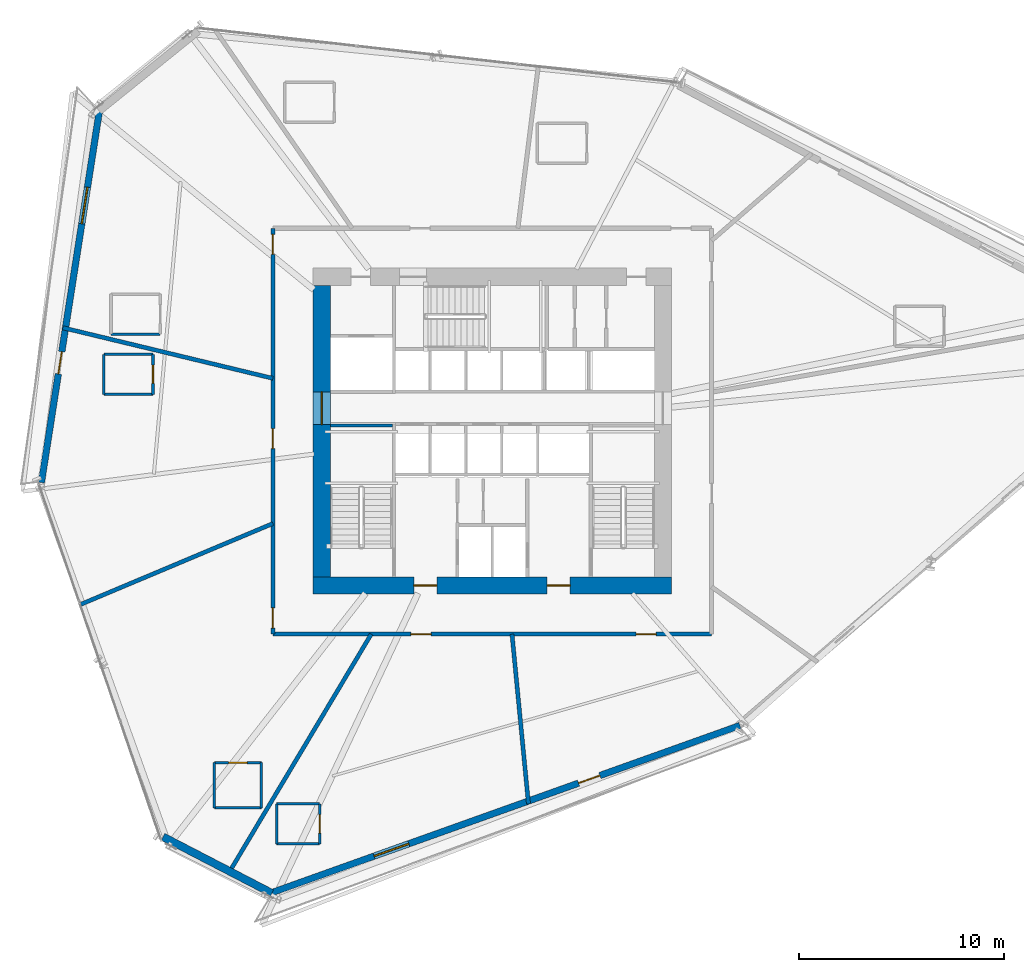
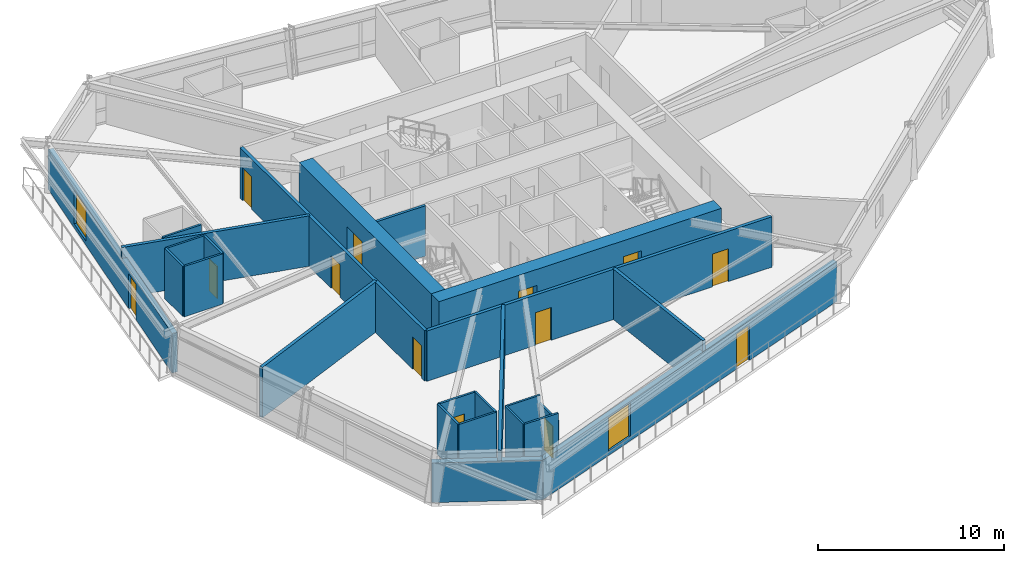
# One storey, part 15 of 22: 25 walls, 13 doors, 2 windows, 15 openings.
"""IFC4 building model written with IfcOpenShell, lengths in metres."""

from ifc_helpers import new_model, si_unit, direction, frame, frame_2d, origin, place, context, subcontext, project, spatial, rectangle, extrude, source, transform, mapped, material, layer, layer_set, type_object, type_shapes, element, fill, save


model = new_model("IFC4")

# Units and contexts
model_context = context("Model", 3, precision=1e-05, world=origin(), true_north=direction((0.0, 1.0)))
body_context = subcontext(model_context, "Body", "Model", "MODEL_VIEW")
ifc_project = project(units=[si_unit("LENGTHUNIT", "METRE"), si_unit("AREAUNIT", "SQUARE_METRE"), si_unit("VOLUMEUNIT", "CUBIC_METRE"), si_unit("PLANEANGLEUNIT", "RADIAN"), si_unit("MASSUNIT", "GRAM", prefix="KILO")], contexts=[model_context])

# Site, building, storey
site_placement = place(None, origin())
site = spatial("IfcSite", under=ifc_project, at=site_placement, CompositionType="ELEMENT")
building_placement = place(site_placement, origin())
building = spatial("IfcBuilding", under=site, at=building_placement, Name="Olszyna Solenne Hotel", CompositionType="ELEMENT")
storey_placement = place(building_placement, frame((0.0, 0.0, 61.25)))
storey = spatial("IfcBuildingStorey", under=building, at=storey_placement, Name="L15", CompositionType="ELEMENT", Elevation=61.25)

# Wall, openings, doors
ifc_material_1 = material(Name="Concrete C60/75", Category="concrete")
ifc_layer_1 = layer(ifc_material_1, 0.85009765625, Name="Concrete C60/75")
ifc_layer_set_1 = layer_set([ifc_layer_1], Name="Concrete C60/75")
wall_type_1 = type_object("IfcWallType", Name="WL-CR850", PredefinedType="SHEAR", material=ifc_layer_set_1)
wall_1_placement = place(storey_placement, frame((46.75, 19.074951171875, 0.0), z_axis=(0.0, 0.0, 1.0), x_axis=(-1.0, 0.0, 0.0)))
wall_1 = element("IfcWall", 1, at=wall_1_placement, inside=storey, type_object=wall_type_1, Name="Core shear wall WL-CR850 CRW-L15-S", PredefinedType="SHEAR", context=body_context, shape_type="SweptSolid", body=[
    extrude(rectangle(XDim=17.5, YDim=0.85009765625, at=frame_2d((8.75, 0.0))), origin(), (0.0, 0.0, 1.0), 3.300048828125),
])
opening_1_placement = place(wall_1_placement, frame((4.949951171875, 0.0, 0.0)))
opening_1 = element("IfcOpeningElement", 2, at=opening_1_placement, cuts=wall_1, Name="Opening FL-L15-1", PredefinedType="OPENING", context=body_context, shape_type="SweptSolid", body=[
    extrude(rectangle(XDim=1.1201171875, YDim=2.25, at=frame_2d((0.56005859375, 1.125))), frame((0.0, 0.43505859375, 0.0), z_axis=(0.0, -1.0, 0.0), x_axis=(1.0, 0.0, 0.0)), (0.0, 0.0, 1.0), 0.8701171875),
])
opening_2_placement = place(wall_1_placement, frame((11.449951171875, 0.0, 0.0)))
opening_2 = element("IfcOpeningElement", 3, at=opening_2_placement, cuts=wall_1, Name="Opening FL-L15-2", PredefinedType="OPENING", context=body_context, shape_type="SweptSolid", body=[
    extrude(rectangle(XDim=1.1201171875, YDim=2.25, at=frame_2d((0.56005859375, 1.125))), frame((0.0, 0.43505859375, 0.0), z_axis=(0.0, -1.0, 0.0), x_axis=(1.0, 0.0, 0.0)), (0.0, 0.0, 1.0), 0.8701171875),
])
ifc_material_2 = material(Name="Steel S355J2", Category="steel")
door_type_1 = type_object("IfcDoorType", Name="DR-FL1", OperationType="NOTDEFINED", PredefinedType="DOOR", material=ifc_material_2)
shared_shape_1 = source(origin(), body_context, "Body", "SweptSolid", [
    extrude(rectangle(XDim=1.1201171875, YDim=2.25, at=frame_2d((0.56005859375, 1.125))), frame((0.0, 0.02490234375, 0.0), z_axis=(0.0, -1.0, 0.0), x_axis=(1.0, 0.0, 0.0)), (0.0, 0.0, 1.0), 0.050048828125),
])
type_shapes(door_type_1, [shared_shape_1])
door_1_placement = place(opening_1_placement, origin())
door_1 = element("IfcDoor", 4, at=door_1_placement, inside=storey, type_object=door_type_1, Name="Firefighting lift lobby smoke door FL-L15-1", OperationType="SINGLE_SWING_LEFT", OverallHeight=2.25, OverallWidth=1.1201171875, PredefinedType="DOOR", context=body_context, shape_type="MappedRepresentation", body=[
    mapped(shared_shape_1, transform((0.0, 0.0, 0.0), x_axis=(1.0, 0.0, 0.0), y_axis=(0.0, 1.0, 0.0), z_axis=(0.0, 0.0, 1.0), scale=1.0)),
])
fill(opening_1, door_1)
door_2_placement = place(opening_2_placement, origin())
door_2 = element("IfcDoor", 5, at=door_2_placement, inside=storey, type_object=door_type_1, Name="Firefighting lift lobby smoke door FL-L15-2", OperationType="SINGLE_SWING_RIGHT", OverallHeight=2.25, OverallWidth=1.1201171875, PredefinedType="DOOR", context=body_context, shape_type="MappedRepresentation", body=[
    mapped(shared_shape_1, transform((0.0, 0.0, 0.0), x_axis=(1.0, 0.0, 0.0), y_axis=(0.0, 1.0, 0.0), z_axis=(0.0, 0.0, 1.0), scale=1.0)),
])
fill(opening_2, door_2)

# Wall, opening, door
wall_2_placement = place(storey_placement, frame((29.675048828125, 19.5, 0.0), z_axis=(0.0, 0.0, 1.0), x_axis=(0.0, 1.0, 0.0)))
wall_2 = element("IfcWall", 6, at=wall_2_placement, inside=storey, type_object=wall_type_1, Name="Core shear wall WL-CR850 CRW-L15-W", PredefinedType="SHEAR", context=body_context, shape_type="SweptSolid", body=[
    extrude(rectangle(XDim=14.199951171875, YDim=0.85009765625, at=frame_2d((7.10009765625, 0.0))), origin(), (0.0, 0.0, 1.0), 3.300048828125),
])
opening_3_placement = place(wall_2_placement, frame((7.419921875, 0.0, 0.0)))
opening_3 = element("IfcOpeningElement", 7, at=opening_3_placement, cuts=wall_2, Name="Opening LHD-L15-W", PredefinedType="OPENING", context=body_context, shape_type="SweptSolid", body=[
    extrude(rectangle(XDim=1.60009765625, YDim=2.199951171875, at=frame_2d((0.800048828125, 1.10009765625))), frame((0.0, 0.43505859375, 0.0), z_axis=(0.0, -1.0, 0.0), x_axis=(1.0, 0.0, 0.0)), (0.0, 0.0, 1.0), 0.8701171875),
])
ifc_material_3 = material(Name="Timber hardwood", Category="wood")
door_type_2 = type_object("IfcDoorType", Name="DR-CR1", OperationType="DOUBLE_DOOR_SINGLE_SWING", PredefinedType="DOOR", material=ifc_material_3)
shared_shape_2 = source(origin(), body_context, "Body", "SweptSolid", [
    extrude(rectangle(XDim=1.60009765625, YDim=2.199951171875, at=frame_2d((0.800048828125, 1.10009765625))), frame((0.0, 0.02490234375, 0.0), z_axis=(0.0, -1.0, 0.0), x_axis=(1.0, 0.0, 0.0)), (0.0, 0.0, 1.0), 0.050048828125),
])
type_shapes(door_type_2, [shared_shape_2])
door_3_placement = place(opening_3_placement, origin())
door_3 = element("IfcDoor", 8, at=door_3_placement, inside=storey, type_object=door_type_2, Name="Passenger lift lobby West fire door LHD-L15-W", OperationType="DOUBLE_DOOR_SINGLE_SWING", OverallHeight=2.199951171875, OverallWidth=1.60009765625, PredefinedType="DOOR", context=body_context, shape_type="MappedRepresentation", body=[
    mapped(shared_shape_2, transform((0.0, 0.0, 0.0), x_axis=(1.0, 0.0, 0.0), y_axis=(0.0, 1.0, 0.0), z_axis=(0.0, 0.0, 1.0), scale=1.0)),
])
fill(opening_3, door_3)

# Wall, openings, door, window
ifc_material_4 = material(Name="Precast concrete C45/55", Category="concrete")
ifc_layer_2 = layer(ifc_material_4, 0.320068359375, Name="Precast concrete C45/55")
ifc_layer_set_2 = layer_set([ifc_layer_2], Name="Precast concrete C45/55")
wall_type_2 = type_object("IfcWallType", Name="WL-EX320", PredefinedType="SOLIDWALL", material=ifc_layer_set_2)
wall_3_placement = place(storey_placement, frame((50.075927734375, 12.242919921875, 0.0), z_axis=(0.0, 0.0, 1.0), x_axis=(-0.941799205237, -0.33617593164, 0.0)))
wall_3 = element("IfcWall", 9, at=wall_3_placement, inside=storey, type_object=wall_type_2, Name="Exterior terracotta-precast frame wall WL-EX320 EW-L15-01", PredefinedType="SOLIDWALL", context=body_context, shape_type="SweptSolid", body=[
    extrude(rectangle(XDim=24.38525390625, YDim=0.320068359375, at=frame_2d((12.192626953125, 0.0))), origin(), (0.0, 0.0, 1.0), 2.592041015625),
])
opening_4_placement = place(wall_3_placement, frame((7.2529296875, 0.0, 0.0)))
opening_4 = element("IfcOpeningElement", 10, at=opening_4_placement, cuts=wall_3, Name="Opening LDG-L15-3", PredefinedType="OPENING", context=body_context, shape_type="SweptSolid", body=[
    extrude(rectangle(XDim=1.10009765625, YDim=2.300048828125, at=frame_2d((0.550048828125, 1.14990234375))), frame((0.0, 0.169921875, 0.0), z_axis=(0.0, -1.0, 0.0), x_axis=(1.0, 0.0, 0.0)), (0.0, 0.0, 1.0), 0.340087890625),
])
opening_5_placement = place(wall_3_placement, frame((17.14501953125, 0.0, 0.27197265625)))
opening_5 = element("IfcOpeningElement", 11, at=opening_5_placement, cuts=wall_3, Name="Opening WN-L15-068", PredefinedType="OPENING", context=body_context, shape_type="SweptSolid", body=[
    extrude(rectangle(XDim=1.800048828125, YDim=2.199951171875, at=frame_2d((0.89990234375, 1.10009765625))), frame((0.0, 0.169921875, 0.0), z_axis=(0.0, -1.0, 0.0), x_axis=(1.0, 0.0, 0.0)), (0.0, 0.0, 1.0), 0.340087890625),
])
ifc_material_5 = material(Name="Anodised bronze aluminium", Category="aluminium")
door_type_3 = type_object("IfcDoorType", Name="DR-LG1", OperationType="NOTDEFINED", PredefinedType="DOOR", material=ifc_material_5)
shared_shape_3 = source(origin(), body_context, "Body", "SweptSolid", [
    extrude(rectangle(XDim=1.10009765625, YDim=2.300048828125, at=frame_2d((0.550048828125, 1.14990234375))), frame((0.0, 0.02490234375, 0.0), z_axis=(0.0, -1.0, 0.0), x_axis=(1.0, 0.0, 0.0)), (0.0, 0.0, 1.0), 0.050048828125),
])
type_shapes(door_type_3, [shared_shape_3])
door_4_placement = place(opening_4_placement, origin())
door_4 = element("IfcDoor", 12, at=door_4_placement, inside=storey, type_object=door_type_3, Name="Exterior loggia balcony door DR-LG1 LDG-L15-3", OperationType="SINGLE_SWING_LEFT", OverallHeight=2.300048828125, OverallWidth=1.10009765625, PredefinedType="DOOR", context=body_context, shape_type="MappedRepresentation", body=[
    mapped(shared_shape_3, transform((0.0, 0.0, 0.0), x_axis=(1.0, 0.0, 0.0), y_axis=(0.0, 1.0, 0.0), z_axis=(0.0, 0.0, 1.0), scale=1.0)),
])
fill(opening_4, door_4)
ifc_material_6 = material(Name="Low-E triple glazing", Category="glass")
window_type = type_object("IfcWindowType", Name="WN-HT1", PartitioningType="SINGLE_PANEL", PredefinedType="WINDOW", material=ifc_material_6)
shared_shape_4 = source(origin(), body_context, "Body", "SweptSolid", [
    extrude(rectangle(XDim=1.800048828125, YDim=2.199951171875, at=frame_2d((0.89990234375, 1.10009765625))), frame((0.0, 0.030029296875, 0.0), z_axis=(0.0, -1.0, 0.0), x_axis=(1.0, 0.0, 0.0)), (0.0, 0.0, 1.0), 0.06005859375),
])
type_shapes(window_type, [shared_shape_4])
window_1_placement = place(opening_5_placement, origin())
window_1 = element("IfcWindow", 13, at=window_1_placement, inside=storey, type_object=window_type, Name="Loggia room window WN-HT1 WN-L15-068", OverallHeight=2.199951171875, OverallWidth=1.800048828125, PartitioningType="SINGLE_PANEL", PredefinedType="WINDOW", context=body_context, shape_type="MappedRepresentation", body=[
    mapped(shared_shape_4, transform((0.0, 0.0, 0.0), x_axis=(1.0, 0.0, 0.0), y_axis=(0.0, 1.0, 0.0), z_axis=(0.0, 0.0, 1.0), scale=1.0)),
])
fill(opening_5, window_1)

wall_4_placement = place(storey_placement, frame((16.005615234375, 24.09521484375, 0.0), z_axis=(0.0, 0.0, 1.0), x_axis=(0.154230167558, 0.988034946454, 0.0)))
wall_4 = element("IfcWall", 14, at=wall_4_placement, inside=storey, type_object=wall_type_2, Name="Exterior terracotta-precast frame wall WL-EX320 EW-L15-04", PredefinedType="SOLIDWALL", context=body_context, shape_type="SweptSolid", body=[
    extrude(rectangle(XDim=18.47802734375, YDim=0.320068359375, at=frame_2d((9.239013671875, 0.0))), origin(), (0.0, 0.0, 1.0), 2.592041015625),
])
opening_6_placement = place(wall_4_placement, frame((5.363037109375, 0.0, 0.0)))
opening_6 = element("IfcOpeningElement", 15, at=opening_6_placement, cuts=wall_4, Name="Opening LDG-L15-2", PredefinedType="OPENING", context=body_context, shape_type="SweptSolid", body=[
    extrude(rectangle(XDim=1.10009765625, YDim=2.300048828125, at=frame_2d((0.550048828125, 1.14990234375))), frame((0.0, 0.169921875, 0.0), z_axis=(0.0, -1.0, 0.0), x_axis=(1.0, 0.0, 0.0)), (0.0, 0.0, 1.0), 0.340087890625),
])
opening_7_placement = place(wall_4_placement, frame((12.77392578125, 0.0, 0.27197265625)))
opening_7 = element("IfcOpeningElement", 16, at=opening_7_placement, cuts=wall_4, Name="Opening WN-L15-069", PredefinedType="OPENING", context=body_context, shape_type="SweptSolid", body=[
    extrude(rectangle(XDim=1.800048828125, YDim=2.199951171875, at=frame_2d((0.89990234375, 1.10009765625))), frame((0.0, 0.169921875, 0.0), z_axis=(0.0, -1.0, 0.0), x_axis=(1.0, 0.0, 0.0)), (0.0, 0.0, 1.0), 0.340087890625),
])
door_5_placement = place(opening_6_placement, origin())
door_5 = element("IfcDoor", 17, at=door_5_placement, inside=storey, type_object=door_type_3, Name="Exterior loggia balcony door DR-LG1 LDG-L15-2", OperationType="SINGLE_SWING_RIGHT", OverallHeight=2.300048828125, OverallWidth=1.10009765625, PredefinedType="DOOR", context=body_context, shape_type="MappedRepresentation", body=[
    mapped(shared_shape_3, transform((0.0, 0.0, 0.0), x_axis=(1.0, 0.0, 0.0), y_axis=(0.0, 1.0, 0.0), z_axis=(0.0, 0.0, 1.0), scale=1.0)),
])
fill(opening_6, door_5)
window_2_placement = place(opening_7_placement, origin())
window_2 = element("IfcWindow", 18, at=window_2_placement, inside=storey, type_object=window_type, Name="Loggia room window WN-HT1 WN-L15-069", OverallHeight=2.199951171875, OverallWidth=1.800048828125, PartitioningType="SINGLE_PANEL", PredefinedType="WINDOW", context=body_context, shape_type="MappedRepresentation", body=[
    mapped(shared_shape_4, transform((0.0, 0.0, 0.0), x_axis=(1.0, 0.0, 0.0), y_axis=(0.0, 1.0, 0.0), z_axis=(0.0, 0.0, 1.0), scale=1.0)),
])
fill(opening_7, window_2)

# Walls
ifc_material_7 = material(Name="Terracotta cladding on precast concrete C45/55", Category="masonry")
ifc_layer_3 = layer(ifc_material_7, 0.3798828125, Name="Terracotta cladding on precast concrete C45/55")
ifc_layer_set_3 = layer_set([ifc_layer_3], Name="Terracotta cladding on precast concrete C45/55")
wall_type_3 = type_object("IfcWallType", Name="WL-EX380", PredefinedType="SOLIDWALL", material=ifc_layer_set_3)
wall_5_placement = place(storey_placement, frame((27.251220703125, 4.06298828125, 0.0), z_axis=(0.0, 0.0, 1.0), x_axis=(-0.887815090673, 0.46020035286, 0.0)))
element("IfcWall", 19, at=wall_5_placement, inside=storey, type_object=wall_type_3, Name="Exterior terracotta-precast frame wall WL-EX380 EW-L15-02", PredefinedType="SOLIDWALL", context=body_context, shape_type="SweptSolid", body=[
    extrude(rectangle(XDim=5.978759765625, YDim=0.3798828125, at=frame_2d((2.9892578125, 0.0))), origin(), (0.0, 0.0, 1.0), 2.592041015625),
])
ifc_material_8 = material(Name="Acoustic gypsum partition", Category="gypsum")
ifc_layer_4 = layer(ifc_material_8, 0.125, Name="Acoustic gypsum partition")
ifc_layer_set_4 = layer_set([ifc_layer_4], Name="Acoustic gypsum partition")
wall_type_4 = type_object("IfcWallType", Name="WL-PT125", PredefinedType="PARTITIONING", material=ifc_layer_set_4)
wall_6_placement = place(storey_placement, frame((19.402099609375, 31.33203125, 0.0), z_axis=(0.0, 0.0, 1.0), x_axis=(1.0, 0.0, 0.0)))
element("IfcWall", 20, at=wall_6_placement, inside=storey, type_object=wall_type_4, Name="Interior acoustic partition WL-PT125 PW-L15-0856", PredefinedType="PARTITIONING", context=body_context, shape_type="SweptSolid", body=[
    extrude(rectangle(XDim=2.39990234375, YDim=0.125, at=frame_2d((1.199951171875, 0.0))), origin(), (0.0, 0.0, 1.0), 3.300048828125),
])

# Wall, opening, door
wall_7_placement = place(storey_placement, frame((21.449951171875, 28.403076171875, 0.0), z_axis=(0.0, 0.0, 1.0), x_axis=(0.0, 1.0, 0.0)))
wall_7 = element("IfcWall", 21, at=wall_7_placement, inside=storey, type_object=wall_type_4, Name="Interior acoustic partition WL-PT125 PW-L15-0857", PredefinedType="PARTITIONING", context=body_context, shape_type="SweptSolid", body=[
    extrude(rectangle(XDim=1.949951171875, YDim=0.125, at=frame_2d((0.97509765625, 0.0))), origin(), (0.0, 0.0, 1.0), 3.300048828125),
])
opening_8_placement = place(wall_7_placement, frame((0.52490234375, 0.0, 0.0)))
opening_8 = element("IfcOpeningElement", 22, at=opening_8_placement, cuts=wall_7, Name="Opening DR-L15-0189", PredefinedType="OPENING", context=body_context, shape_type="SweptSolid", body=[
    extrude(rectangle(XDim=0.89990234375, YDim=2.10009765625, at=frame_2d((0.449951171875, 1.050048828125))), frame((0.0, 0.072509765625, 0.0), z_axis=(0.0, -1.0, 0.0), x_axis=(1.0, 0.0, 0.0)), (0.0, 0.0, 1.0), 0.14501953125),
])
door_type_4 = type_object("IfcDoorType", Name="DR-WC1", OperationType="NOTDEFINED", PredefinedType="DOOR", material=ifc_material_3)
shared_shape_5 = source(origin(), body_context, "Body", "SweptSolid", [
    extrude(rectangle(XDim=0.89990234375, YDim=2.10009765625, at=frame_2d((0.449951171875, 1.050048828125))), frame((0.0, 0.02490234375, 0.0), z_axis=(0.0, -1.0, 0.0), x_axis=(1.0, 0.0, 0.0)), (0.0, 0.0, 1.0), 0.050048828125),
])
type_shapes(door_type_4, [shared_shape_5])
door_6_placement = place(opening_8_placement, origin())
door_6 = element("IfcDoor", 23, at=door_6_placement, inside=storey, type_object=door_type_4, Name="En-Suite Bathroom Door DR-L15-0189", OperationType="SINGLE_SWING_RIGHT", OverallHeight=2.10009765625, OverallWidth=0.89990234375, PredefinedType="DOOR", context=body_context, shape_type="MappedRepresentation", body=[
    mapped(shared_shape_5, transform((0.0, 0.0, 0.0), x_axis=(1.0, 0.0, 0.0), y_axis=(0.0, 1.0, 0.0), z_axis=(0.0, 0.0, 1.0), scale=1.0)),
])
fill(opening_8, door_6)

# Walls
wall_8_placement = place(storey_placement, frame((21.449951171875, 30.35302734375, 0.0), z_axis=(0.0, 0.0, 1.0), x_axis=(-1.0, 0.0, 0.0)))
element("IfcWall", 24, at=wall_8_placement, inside=storey, type_object=wall_type_4, Name="Interior acoustic partition WL-PT125 PW-L15-0858", PredefinedType="PARTITIONING", context=body_context, shape_type="SweptSolid", body=[
    extrude(rectangle(XDim=2.39990234375, YDim=0.125, at=frame_2d((1.199951171875, 0.0))), origin(), (0.0, 0.0, 1.0), 3.300048828125),
])
wall_9_placement = place(storey_placement, frame((19.050048828125, 30.35302734375, 0.0), z_axis=(0.0, 0.0, 1.0), x_axis=(0.0, -1.0, 0.0)))
element("IfcWall", 25, at=wall_9_placement, inside=storey, type_object=wall_type_4, Name="Interior acoustic partition WL-PT125 PW-L15-0859", PredefinedType="PARTITIONING", context=body_context, shape_type="SweptSolid", body=[
    extrude(rectangle(XDim=1.949951171875, YDim=0.125, at=frame_2d((0.97509765625, 0.0))), origin(), (0.0, 0.0, 1.0), 3.300048828125),
])
wall_10_placement = place(storey_placement, frame((19.050048828125, 28.403076171875, 0.0), z_axis=(0.0, 0.0, 1.0), x_axis=(1.0, 0.0, 0.0)))
element("IfcWall", 26, at=wall_10_placement, inside=storey, type_object=wall_type_4, Name="Interior acoustic partition WL-PT125 PW-L15-0860", PredefinedType="PARTITIONING", context=body_context, shape_type="SweptSolid", body=[
    extrude(rectangle(XDim=2.39990234375, YDim=0.125, at=frame_2d((1.199951171875, 0.0))), origin(), (0.0, 0.0, 1.0), 3.300048828125),
])
wall_11_placement = place(storey_placement, frame((26.739990234375, 8.22998046875, 0.0), z_axis=(0.0, 0.0, 1.0), x_axis=(0.0, 1.0, 0.0)))
element("IfcWall", 27, at=wall_11_placement, inside=storey, type_object=wall_type_4, Name="Interior acoustic partition WL-PT125 PW-L15-0861", PredefinedType="PARTITIONING", context=body_context, shape_type="SweptSolid", body=[
    extrude(rectangle(XDim=2.199951171875, YDim=0.125, at=frame_2d((1.10009765625, 0.0))), origin(), (0.0, 0.0, 1.0), 3.300048828125),
])

# Wall, opening, door
wall_12_placement = place(storey_placement, frame((26.739990234375, 10.429931640625, 0.0), z_axis=(0.0, 0.0, 1.0), x_axis=(-1.0, 0.0, 0.0)))
wall_12 = element("IfcWall", 28, at=wall_12_placement, inside=storey, type_object=wall_type_4, Name="Interior acoustic partition WL-PT125 PW-L15-0862", PredefinedType="PARTITIONING", context=body_context, shape_type="SweptSolid", body=[
    extrude(rectangle(XDim=2.300048828125, YDim=0.125, at=frame_2d((1.14990234375, 0.0))), origin(), (0.0, 0.0, 1.0), 3.300048828125),
])
opening_9_placement = place(wall_12_placement, frame((0.699951171875, 0.0, 0.0)))
opening_9 = element("IfcOpeningElement", 29, at=opening_9_placement, cuts=wall_12, Name="Opening DR-L15-0190", PredefinedType="OPENING", context=body_context, shape_type="SweptSolid", body=[
    extrude(rectangle(XDim=0.89990234375, YDim=2.10009765625, at=frame_2d((0.449951171875, 1.050048828125))), frame((0.0, 0.072509765625, 0.0), z_axis=(0.0, -1.0, 0.0), x_axis=(1.0, 0.0, 0.0)), (0.0, 0.0, 1.0), 0.14501953125),
])
door_7_placement = place(opening_9_placement, origin())
door_7 = element("IfcDoor", 30, at=door_7_placement, inside=storey, type_object=door_type_4, Name="En-Suite Bathroom Door DR-L15-0190", OperationType="SINGLE_SWING_LEFT", OverallHeight=2.10009765625, OverallWidth=0.89990234375, PredefinedType="DOOR", context=body_context, shape_type="MappedRepresentation", body=[
    mapped(shared_shape_5, transform((0.0, 0.0, 0.0), x_axis=(1.0, 0.0, 0.0), y_axis=(0.0, 1.0, 0.0), z_axis=(0.0, 0.0, 1.0), scale=1.0)),
])
fill(opening_9, door_7)

# Walls
wall_13_placement = place(storey_placement, frame((24.43994140625, 10.429931640625, 0.0), z_axis=(0.0, 0.0, 1.0), x_axis=(0.0, -1.0, 0.0)))
element("IfcWall", 31, at=wall_13_placement, inside=storey, type_object=wall_type_4, Name="Interior acoustic partition WL-PT125 PW-L15-0863", PredefinedType="PARTITIONING", context=body_context, shape_type="SweptSolid", body=[
    extrude(rectangle(XDim=2.199951171875, YDim=0.125, at=frame_2d((1.10009765625, 0.0))), origin(), (0.0, 0.0, 1.0), 3.300048828125),
])
wall_14_placement = place(storey_placement, frame((24.43994140625, 8.22998046875, 0.0), z_axis=(0.0, 0.0, 1.0), x_axis=(1.0, 0.0, 0.0)))
element("IfcWall", 32, at=wall_14_placement, inside=storey, type_object=wall_type_4, Name="Interior acoustic partition WL-PT125 PW-L15-0864", PredefinedType="PARTITIONING", context=body_context, shape_type="SweptSolid", body=[
    extrude(rectangle(XDim=2.300048828125, YDim=0.125, at=frame_2d((1.14990234375, 0.0))), origin(), (0.0, 0.0, 1.0), 3.300048828125),
])

# Wall, opening, door
wall_15_placement = place(storey_placement, frame((29.575927734375, 6.47509765625, 0.0), z_axis=(0.0, 0.0, 1.0), x_axis=(0.0, 1.0, 0.0)))
wall_15 = element("IfcWall", 33, at=wall_15_placement, inside=storey, type_object=wall_type_4, Name="Interior acoustic partition WL-PT125 PW-L15-0865", PredefinedType="PARTITIONING", context=body_context, shape_type="SweptSolid", body=[
    extrude(rectangle(XDim=1.949951171875, YDim=0.125, at=frame_2d((0.97509765625, 0.0))), origin(), (0.0, 0.0, 1.0), 2.794921875),
])
opening_10_placement = place(wall_15_placement, frame((0.52490234375, 0.0, 0.0)))
opening_10 = element("IfcOpeningElement", 34, at=opening_10_placement, cuts=wall_15, Name="Opening DR-L15-0191", PredefinedType="OPENING", context=body_context, shape_type="SweptSolid", body=[
    extrude(rectangle(XDim=0.89990234375, YDim=2.10009765625, at=frame_2d((0.449951171875, 1.050048828125))), frame((0.0, 0.072509765625, 0.0), z_axis=(0.0, -1.0, 0.0), x_axis=(1.0, 0.0, 0.0)), (0.0, 0.0, 1.0), 0.14501953125),
])
door_8_placement = place(opening_10_placement, origin())
door_8 = element("IfcDoor", 35, at=door_8_placement, inside=storey, type_object=door_type_4, Name="En-Suite Bathroom Door DR-L15-0191", OperationType="SINGLE_SWING_RIGHT", OverallHeight=2.10009765625, OverallWidth=0.89990234375, PredefinedType="DOOR", context=body_context, shape_type="MappedRepresentation", body=[
    mapped(shared_shape_5, transform((0.0, 0.0, 0.0), x_axis=(1.0, 0.0, 0.0), y_axis=(0.0, 1.0, 0.0), z_axis=(0.0, 0.0, 1.0), scale=1.0)),
])
fill(opening_10, door_8)

# Walls
wall_16_placement = place(storey_placement, frame((29.575927734375, 8.425048828125, 0.0), z_axis=(0.0, 0.0, 1.0), x_axis=(-1.0, 0.0, 0.0)))
element("IfcWall", 36, at=wall_16_placement, inside=storey, type_object=wall_type_4, Name="Interior acoustic partition WL-PT125 PW-L15-0866", PredefinedType="PARTITIONING", context=body_context, shape_type="SweptSolid", body=[
    extrude(rectangle(XDim=2.099853515625, YDim=0.125, at=frame_2d((1.0498046875, 0.0))), origin(), (0.0, 0.0, 1.0), 3.300048828125),
])
wall_17_placement = place(storey_placement, frame((27.47607421875, 8.425048828125, 0.0), z_axis=(0.0, 0.0, 1.0), x_axis=(0.0, -1.0, 0.0)))
element("IfcWall", 37, at=wall_17_placement, inside=storey, type_object=wall_type_4, Name="Interior acoustic partition WL-PT125 PW-L15-0867", PredefinedType="PARTITIONING", context=body_context, shape_type="SweptSolid", body=[
    extrude(rectangle(XDim=1.949951171875, YDim=0.125, at=frame_2d((0.97509765625, 0.0))), origin(), (0.0, 0.0, 1.0), 3.300048828125),
])
wall_18_placement = place(storey_placement, frame((27.47607421875, 6.47509765625, 0.0), z_axis=(0.0, 0.0, 1.0), x_axis=(1.0, 0.0, 0.0)))
element("IfcWall", 38, at=wall_18_placement, inside=storey, type_object=wall_type_4, Name="Interior acoustic partition WL-PT125 PW-L15-0868", PredefinedType="PARTITIONING", context=body_context, shape_type="SweptSolid", body=[
    extrude(rectangle(XDim=2.099853515625, YDim=0.125, at=frame_2d((1.0498046875, 0.0))), origin(), (0.0, 0.0, 1.0), 3.300048828125),
])
ifc_layer_5 = layer(ifc_material_8, 0.159912109375, Name="Acoustic gypsum partition")
ifc_layer_set_5 = layer_set([ifc_layer_5], Name="Acoustic gypsum partition")
wall_type_5 = type_object("IfcWallType", Name="WL-PT160", PredefinedType="PARTITIONING", material=ifc_layer_set_5)
wall_19_placement = place(storey_placement, frame((30.10009765625, 26.8798828125, 0.0), z_axis=(0.0, 0.0, 1.0), x_axis=(1.0, 0.0, 0.0)))
element("IfcWall", 39, at=wall_19_placement, inside=storey, type_object=wall_type_5, Name="Core shaft compartment wall CW-L15-ST1N", PredefinedType="PARTITIONING", context=body_context, shape_type="SweptSolid", body=[
    extrude(rectangle(XDim=3.02001953125, YDim=0.159912109375, at=frame_2d((1.510009765625, 0.0))), origin(), (0.0, 0.0, 1.0), 3.300048828125),
])
ifc_layer_6 = layer(ifc_material_8, 0.199951171875, Name="Acoustic gypsum partition")
ifc_layer_set_6 = layer_set([ifc_layer_6], Name="Acoustic gypsum partition")
wall_type_6 = type_object("IfcWallType", Name="WL-PT200", PredefinedType="PARTITIONING", material=ifc_layer_set_6)
wall_20_placement = place(storey_placement, frame((27.300048828125, 29.177734375, 0.0), z_axis=(0.0, 0.0, 1.0), x_axis=(-0.972184679764, 0.234215602453, 0.0)))
element("IfcWall", 40, at=wall_20_placement, inside=storey, type_object=wall_type_6, Name="Interior acoustic partition WL-PT200 PW-L15-0839", PredefinedType="PARTITIONING", context=body_context, shape_type="SweptSolid", body=[
    extrude(rectangle(XDim=10.54052734375, YDim=0.199951171875, at=frame_2d((5.270263671875, 0.0))), origin(), (0.0, 0.0, 1.0), 3.300048828125),
])
wall_21_placement = place(storey_placement, frame((27.300048828125, 22.09814453125, 0.0), z_axis=(0.0, 0.0, 1.0), x_axis=(-0.921738414134, -0.387812191543, 0.0)))
element("IfcWall", 41, at=wall_21_placement, inside=storey, type_object=wall_type_6, Name="Interior acoustic partition WL-PT200 PW-L15-0840", PredefinedType="PARTITIONING", context=body_context, shape_type="SweptSolid", body=[
    extrude(rectangle(XDim=10.165771484375, YDim=0.199951171875, at=frame_2d((5.0830078125, 0.0))), origin(), (0.0, 0.0, 1.0), 3.300048828125),
])
wall_22_placement = place(storey_placement, frame((32.09423828125, 16.699951171875, 0.0), z_axis=(0.0, 0.0, 1.0), x_axis=(-0.512323953294, -0.858792272253, 0.0)))
element("IfcWall", 42, at=wall_22_placement, inside=storey, type_object=wall_type_6, Name="Interior acoustic partition WL-PT200 PW-L15-0841", PredefinedType="PARTITIONING", context=body_context, shape_type="SweptSolid", body=[
    extrude(rectangle(XDim=13.63232421875, YDim=0.199951171875, at=frame_2d((6.816162109375, 0.0))), origin(), (0.0, 0.0, 1.0), 3.300048828125),
])
wall_23_placement = place(storey_placement, frame((38.961181640625, 16.699951171875, 0.0), z_axis=(0.0, 0.0, 1.0), x_axis=(0.096633864642, -0.995319996888, 0.0)))
element("IfcWall", 43, at=wall_23_placement, inside=storey, type_object=wall_type_6, Name="Interior acoustic partition WL-PT200 PW-L15-0842", PredefinedType="PARTITIONING", context=body_context, shape_type="SweptSolid", body=[
    extrude(rectangle(XDim=8.314453125, YDim=0.199951171875, at=frame_2d((4.1572265625, 0.0))), origin(), (0.0, 0.0, 1.0), 3.300048828125),
])

# Wall, openings, doors
wall_24_placement = place(storey_placement, frame((27.300048828125, 16.699951171875, 0.0), z_axis=(0.0, 0.0, 1.0), x_axis=(1.0, 0.0, 0.0)))
wall_24 = element("IfcWall", 44, at=wall_24_placement, inside=storey, type_object=wall_type_6, Name="Interior acoustic partition WL-PT200 PW-L15-0873", PredefinedType="PARTITIONING", context=body_context, shape_type="SweptSolid", body=[
    extrude(rectangle(XDim=21.39990234375, YDim=0.199951171875, at=frame_2d((10.699951171875, 0.0))), origin(), (0.0, 0.0, 1.0), 3.300048828125),
])
opening_11_placement = place(wall_24_placement, frame((6.73193359375, 0.0, 0.0)))
opening_11 = element("IfcOpeningElement", 45, at=opening_11_placement, cuts=wall_24, Name="Opening DR-L15-0193", PredefinedType="OPENING", context=body_context, shape_type="SweptSolid", body=[
    extrude(rectangle(XDim=0.97998046875, YDim=2.14990234375, at=frame_2d((0.489990234375, 1.074951171875))), frame((0.0, 0.10986328125, 0.0), z_axis=(0.0, -1.0, 0.0), x_axis=(1.0, 0.0, 0.0)), (0.0, 0.0, 1.0), 0.219970703125),
])
opening_12_placement = place(wall_24_placement, frame((17.714111328125, 0.0, 0.0)))
opening_12 = element("IfcOpeningElement", 46, at=opening_12_placement, cuts=wall_24, Name="Opening DR-L15-0194", PredefinedType="OPENING", context=body_context, shape_type="SweptSolid", body=[
    extrude(rectangle(XDim=0.97998046875, YDim=2.14990234375, at=frame_2d((0.489990234375, 1.074951171875))), frame((0.0, 0.10986328125, 0.0), z_axis=(0.0, -1.0, 0.0), x_axis=(1.0, 0.0, 0.0)), (0.0, 0.0, 1.0), 0.219970703125),
])
door_type_5 = type_object("IfcDoorType", Name="DR-RM1", OperationType="NOTDEFINED", PredefinedType="DOOR", material=ifc_material_3)
shared_shape_6 = source(origin(), body_context, "Body", "SweptSolid", [
    extrude(rectangle(XDim=0.97998046875, YDim=2.14990234375, at=frame_2d((0.489990234375, 1.074951171875))), frame((0.0, 0.02490234375, 0.0), z_axis=(0.0, -1.0, 0.0), x_axis=(1.0, 0.0, 0.0)), (0.0, 0.0, 1.0), 0.050048828125),
])
type_shapes(door_type_5, [shared_shape_6])
door_9_placement = place(opening_11_placement, origin())
door_9 = element("IfcDoor", 47, at=door_9_placement, inside=storey, type_object=door_type_5, Name="Deluxe Hotel Guestroom Entrance Door DR-L15-0193", OperationType="SINGLE_SWING_LEFT", OverallHeight=2.14990234375, OverallWidth=0.97998046875, PredefinedType="DOOR", context=body_context, shape_type="MappedRepresentation", body=[
    mapped(shared_shape_6, transform((0.0, 0.0, 0.0), x_axis=(1.0, 0.0, 0.0), y_axis=(0.0, 1.0, 0.0), z_axis=(0.0, 0.0, 1.0), scale=1.0)),
])
fill(opening_11, door_9)
door_10_placement = place(opening_12_placement, origin())
door_10 = element("IfcDoor", 48, at=door_10_placement, inside=storey, type_object=door_type_5, Name="Breakfast Tasting Salon Entrance Door DR-L15-0194", OperationType="SINGLE_SWING_RIGHT", OverallHeight=2.14990234375, OverallWidth=0.97998046875, PredefinedType="DOOR", context=body_context, shape_type="MappedRepresentation", body=[
    mapped(shared_shape_6, transform((0.0, 0.0, 0.0), x_axis=(1.0, 0.0, 0.0), y_axis=(0.0, 1.0, 0.0), z_axis=(0.0, 0.0, 1.0), scale=1.0)),
])
fill(opening_12, door_10)

wall_25_placement = place(storey_placement, frame((27.300048828125, 16.699951171875, 0.0), z_axis=(0.0, 0.0, 1.0), x_axis=(0.0, 1.0, 0.0)))
wall_25 = element("IfcWall", 49, at=wall_25_placement, inside=storey, type_object=wall_type_6, Name="Interior acoustic partition WL-PT200 PW-L15-0874", PredefinedType="PARTITIONING", context=body_context, shape_type="SweptSolid", body=[
    extrude(rectangle(XDim=19.800048828125, YDim=0.199951171875, at=frame_2d((9.89990234375, 0.0))), origin(), (0.0, 0.0, 1.0), 3.300048828125),
])
opening_13_placement = place(wall_25_placement, frame((18.52001953125, 0.0, 0.0)))
opening_13 = element("IfcOpeningElement", 50, at=opening_13_placement, cuts=wall_25, Name="Opening DR-L15-0195", PredefinedType="OPENING", context=body_context, shape_type="SweptSolid", body=[
    extrude(rectangle(XDim=0.97998046875, YDim=2.14990234375, at=frame_2d((0.489990234375, 1.074951171875))), frame((0.0, 0.10986328125, 0.0), z_axis=(0.0, -1.0, 0.0), x_axis=(1.0, 0.0, 0.0)), (0.0, 0.0, 1.0), 0.219970703125),
])
opening_14_placement = place(wall_25_placement, frame((9.047119140625, 0.0, 0.0)))
opening_14 = element("IfcOpeningElement", 51, at=opening_14_placement, cuts=wall_25, Name="Opening DR-L15-0196", PredefinedType="OPENING", context=body_context, shape_type="SweptSolid", body=[
    extrude(rectangle(XDim=0.97998046875, YDim=2.14990234375, at=frame_2d((0.489990234375, 1.074951171875))), frame((0.0, 0.10986328125, 0.0), z_axis=(0.0, -1.0, 0.0), x_axis=(1.0, 0.0, 0.0)), (0.0, 0.0, 1.0), 0.219970703125),
])
opening_15_placement = place(wall_25_placement, frame((0.300048828125, 0.0, 0.0)))
opening_15 = element("IfcOpeningElement", 52, at=opening_15_placement, cuts=wall_25, Name="Opening DR-L15-0197", PredefinedType="OPENING", context=body_context, shape_type="SweptSolid", body=[
    extrude(rectangle(XDim=0.97998046875, YDim=2.14990234375, at=frame_2d((0.489990234375, 1.074951171875))), frame((0.0, 0.10986328125, 0.0), z_axis=(0.0, -1.0, 0.0), x_axis=(1.0, 0.0, 0.0)), (0.0, 0.0, 1.0), 0.219970703125),
])
door_11_placement = place(opening_13_placement, origin())
door_11 = element("IfcDoor", 53, at=door_11_placement, inside=storey, type_object=door_type_5, Name="Premier King Suite Entrance Door DR-L15-0195", OperationType="SINGLE_SWING_RIGHT", OverallHeight=2.14990234375, OverallWidth=0.97998046875, PredefinedType="DOOR", context=body_context, shape_type="MappedRepresentation", body=[
    mapped(shared_shape_6, transform((0.0, 0.0, 0.0), x_axis=(1.0, 0.0, 0.0), y_axis=(0.0, 1.0, 0.0), z_axis=(0.0, 0.0, 1.0), scale=1.0)),
])
fill(opening_13, door_11)
door_12_placement = place(opening_14_placement, origin())
door_12 = element("IfcDoor", 54, at=door_12_placement, inside=storey, type_object=door_type_5, Name="Deluxe Hotel Guestroom Entrance Door DR-L15-0196", OperationType="SINGLE_SWING_LEFT", OverallHeight=2.14990234375, OverallWidth=0.97998046875, PredefinedType="DOOR", context=body_context, shape_type="MappedRepresentation", body=[
    mapped(shared_shape_6, transform((0.0, 0.0, 0.0), x_axis=(1.0, 0.0, 0.0), y_axis=(0.0, 1.0, 0.0), z_axis=(0.0, 0.0, 1.0), scale=1.0)),
])
fill(opening_14, door_12)
door_13_placement = place(opening_15_placement, origin())
door_13 = element("IfcDoor", 55, at=door_13_placement, inside=storey, type_object=door_type_5, Name="Deluxe Hotel Guestroom Entrance Door DR-L15-0197", OperationType="SINGLE_SWING_RIGHT", OverallHeight=2.14990234375, OverallWidth=0.97998046875, PredefinedType="DOOR", context=body_context, shape_type="MappedRepresentation", body=[
    mapped(shared_shape_6, transform((0.0, 0.0, 0.0), x_axis=(1.0, 0.0, 0.0), y_axis=(0.0, 1.0, 0.0), z_axis=(0.0, 0.0, 1.0), scale=1.0)),
])
fill(opening_15, door_13)

save(model, "model.ifc")
